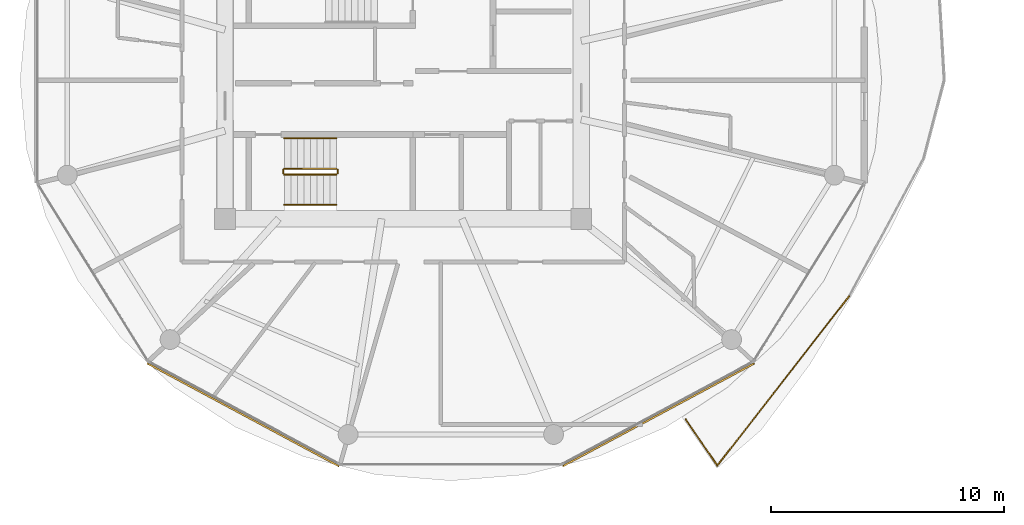
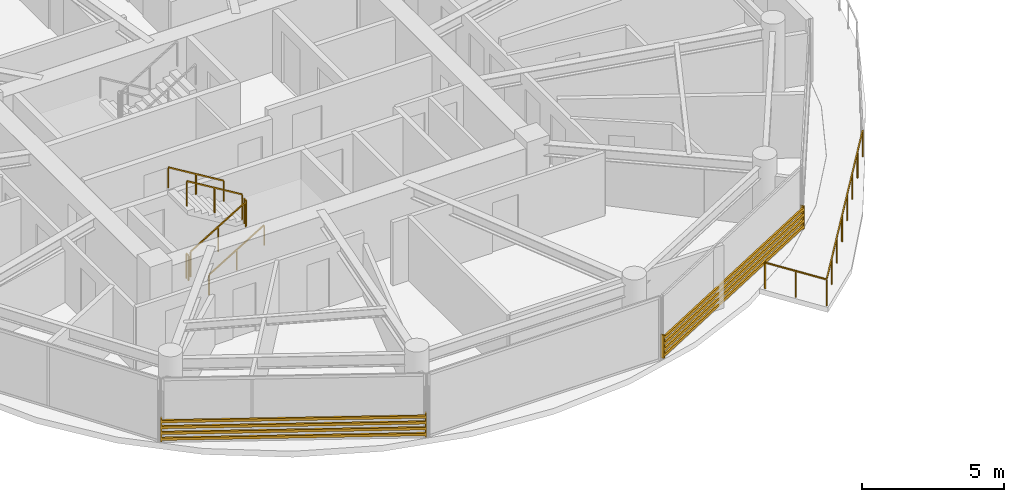
# One storey, part 19 of 22: 7 railings, 2 shading devices.
"""IFC4 building model written with IfcOpenShell, lengths in metres."""

from ifc_helpers import new_model, si_unit, direction, frame, origin, origin_2d, place, context, subcontext, project, spatial, rectangle, extrude, source, transform, mapped, material, type_object, type_shapes, element, save


model = new_model("IFC4")

# Units and contexts
model_context = context("Model", 3, precision=1e-05, world=origin(), true_north=direction((0.0, 1.0)))
body_context = subcontext(model_context, "Body", "Model", "MODEL_VIEW")
ifc_project = project(units=[si_unit("LENGTHUNIT", "METRE"), si_unit("AREAUNIT", "SQUARE_METRE"), si_unit("VOLUMEUNIT", "CUBIC_METRE"), si_unit("PLANEANGLEUNIT", "RADIAN"), si_unit("MASSUNIT", "GRAM", prefix="KILO")], contexts=[model_context])

# Site, building, storey
site_placement = place(None, origin())
site = spatial("IfcSite", under=ifc_project, at=site_placement, CompositionType="ELEMENT")
building_placement = place(site_placement, origin())
building = spatial("IfcBuilding", under=site, at=building_placement, Name="Norrkilde Senior Care Towers", CompositionType="ELEMENT")
storey_placement = place(building_placement, frame((0.0, 0.0, 126.75)))
storey = spatial("IfcBuildingStorey", under=building, at=storey_placement, Name="L39", CompositionType="ELEMENT", Elevation=126.75)

# Railings
ifc_material_1 = material(Name="Anodised Aluminium", Category="aluminium")
railing_type_1 = type_object("IfcRailingType", Name="Balcony Swirl Ribbon Guardrail 1150", PredefinedType="GUARDRAIL", material=ifc_material_1)
railing_1_placement = place(storey_placement, frame((-8.8466796875, -9.2734375, 0.0)))
element("IfcRailing", 1, at=railing_1_placement, inside=storey, type_object=railing_type_1, Name="L39 Perimeter Safety Guard 03", PredefinedType="GUARDRAIL", context=body_context, shape_type="SweptSolid", body=[
    extrude(rectangle(XDim=0.048095703125, YDim=0.048095703125, at=origin_2d()), frame((0.0, 0.0, 1.1259765625), z_axis=(-0.61408916915, -0.789236651666, 0.0), x_axis=(0.789236651666, -0.61408916915, 0.0)), (0.0, 0.0, 1.0), 9.17431640625),
    extrude(rectangle(XDim=0.048095703125, YDim=0.048095703125, at=origin_2d()), frame((-5.68212890625, -7.2392578125, 1.1259765625), z_axis=(-0.565561942327, 0.824705819909, 0.0), x_axis=(-0.824705819909, -0.565561942327, 0.0)), (0.0, 0.0, 1.0), 2.360595703125),
    extrude(rectangle(XDim=0.0419921875, YDim=0.0419921875, at=origin_2d()), origin(), (0.0, 0.0, 1.0), 1.099853515625),
    extrude(rectangle(XDim=0.0419921875, YDim=0.0419921875, at=origin_2d()), frame((-0.808349609375, -1.0390625, 0.0)), (0.0, 0.0, 1.0), 1.099853515625),
    extrude(rectangle(XDim=0.0419921875, YDim=0.0419921875, at=origin_2d()), frame((-1.616943359375, -2.077880859375, 0.0)), (0.0, 0.0, 1.0), 1.099853515625),
    extrude(rectangle(XDim=0.0419921875, YDim=0.0419921875, at=origin_2d()), frame((-2.42529296875, -3.116943359375, 0.0)), (0.0, 0.0, 1.0), 1.099853515625),
    extrude(rectangle(XDim=0.0419921875, YDim=0.0419921875, at=origin_2d()), frame((-3.233642578125, -4.156005859375, 0.0)), (0.0, 0.0, 1.0), 1.099853515625),
    extrude(rectangle(XDim=0.0419921875, YDim=0.0419921875, at=origin_2d()), frame((-4.0419921875, -5.195068359375, 0.0)), (0.0, 0.0, 1.0), 1.099853515625),
    extrude(rectangle(XDim=0.0419921875, YDim=0.0419921875, at=origin_2d()), frame((-4.8505859375, -6.23388671875, 0.0)), (0.0, 0.0, 1.0), 1.099853515625),
    extrude(rectangle(XDim=0.0419921875, YDim=0.0419921875, at=origin_2d()), frame((-5.658935546875, -7.27294921875, 0.0)), (0.0, 0.0, 1.0), 1.099853515625),
    extrude(rectangle(XDim=0.0419921875, YDim=0.0419921875, at=origin_2d()), frame((-6.337890625, -6.28271484375, 0.0)), (0.0, 0.0, 1.0), 1.099853515625),
    extrude(rectangle(XDim=0.0419921875, YDim=0.0419921875, at=origin_2d()), frame((-7.01708984375, -5.29248046875, 0.0)), (0.0, 0.0, 1.0), 1.099853515625),
])
ifc_material_2 = material(Name="Stainless Steel", Category="steel")
railing_type_2 = type_object("IfcRailingType", Name="Stair and Terrace Guardrail 1100", PredefinedType="GUARDRAIL", material=ifc_material_2)
railing_2_placement = place(storey_placement, frame((-33.10009765625, -4.050048828125, 0.16943359375)))
element("IfcRailing", 2, at=railing_2_placement, inside=storey, type_object=railing_type_2, Name="L39 ST-W2 stair guard 1", PredefinedType="GUARDRAIL", context=body_context, shape_type="SweptSolid", body=[
    extrude(rectangle(XDim=0.048095703125, YDim=0.048095703125, at=origin_2d()), frame((0.0, 0.0, 1.076171875), z_axis=(0.855553338991, 0.0, 0.51771467445), x_axis=(0.0, 1.0, 0.0)), (0.0, 0.0, 1.0), 2.6181640625),
    extrude(rectangle(XDim=0.0419921875, YDim=0.0419921875, at=origin_2d()), origin(), (0.0, 0.0, 1.0), 1.050048828125),
    extrude(rectangle(XDim=0.0419921875, YDim=0.0419921875, at=origin_2d()), frame((1.1201171875, 0.0, 0.677734375)), (0.0, 0.0, 1.0), 1.050048828125),
    extrude(rectangle(XDim=0.0419921875, YDim=0.0419921875, at=origin_2d()), frame((2.239990234375, 0.0, 1.35546875)), (0.0, 0.0, 1.0), 1.050048828125),
])
railing_3_placement = place(storey_placement, frame((-30.81005859375, -4.0, 1.52490234375)))
element("IfcRailing", 3, at=railing_3_placement, inside=storey, type_object=railing_type_2, Name="L39 ST-W2 stair guard 2", PredefinedType="GUARDRAIL", context=body_context, shape_type="SweptSolid", body=[
    extrude(rectangle(XDim=0.048095703125, YDim=0.048095703125, at=origin_2d()), frame((0.0, 0.0, 1.076171875), z_axis=(0.0, 1.0, 0.0), x_axis=(-1.0, 0.0, 0.0)), (0.0, 0.0, 1.0), 0.14990234375),
    extrude(rectangle(XDim=0.0419921875, YDim=0.0419921875, at=origin_2d()), origin(), (0.0, 0.0, 1.0), 1.050048828125),
    extrude(rectangle(XDim=0.0419921875, YDim=0.0419921875, at=origin_2d()), frame((0.0, 0.14990234375, 0.0)), (0.0, 0.0, 1.0), 1.050048828125),
])
railing_4_placement = place(storey_placement, frame((-30.860107421875, -3.800048828125, 1.6943359375)))
element("IfcRailing", 4, at=railing_4_placement, inside=storey, type_object=railing_type_2, Name="L39 ST-W2 stair guard 3", PredefinedType="GUARDRAIL", context=body_context, shape_type="SweptSolid", body=[
    extrude(rectangle(XDim=0.048095703125, YDim=0.048095703125, at=origin_2d()), frame((0.0, 0.0, 1.076171875), z_axis=(-0.855512035549, 0.0, 0.517782924622), x_axis=(0.0, -1.0, 0.0)), (0.0, 0.0, 1.0), 2.618408203125),
    extrude(rectangle(XDim=0.0419921875, YDim=0.0419921875, at=origin_2d()), origin(), (0.0, 0.0, 1.0), 1.050048828125),
    extrude(rectangle(XDim=0.0419921875, YDim=0.0419921875, at=origin_2d()), frame((-1.1201171875, 0.0, 0.677734375)), (0.0, 0.0, 1.0), 1.050048828125),
    extrude(rectangle(XDim=0.0419921875, YDim=0.0419921875, at=origin_2d()), frame((-2.239990234375, 0.0, 1.355712890625)), (0.0, 0.0, 1.0), 1.050048828125),
])
railing_5_placement = place(storey_placement, frame((-33.14990234375, -4.0, 0.0)))
element("IfcRailing", 5, at=railing_5_placement, inside=storey, type_object=railing_type_2, Name="L39 ST-W2 stair guard 4", PredefinedType="GUARDRAIL", context=body_context, shape_type="SweptSolid", body=[
    extrude(rectangle(XDim=0.048095703125, YDim=0.048095703125, at=origin_2d()), frame((0.0, 0.0, 1.076171875), z_axis=(0.0, 1.0, 0.0), x_axis=(-1.0, 0.0, 0.0)), (0.0, 0.0, 1.0), 0.14990234375),
    extrude(rectangle(XDim=0.0419921875, YDim=0.0419921875, at=origin_2d()), origin(), (0.0, 0.0, 1.0), 1.050048828125),
    extrude(rectangle(XDim=0.0419921875, YDim=0.0419921875, at=origin_2d()), frame((0.0, 0.14990234375, 0.0)), (0.0, 0.0, 1.0), 1.050048828125),
])
ifc_material_3 = material(Name="Nordic Ash Timber", Category="wood")
railing_type_3 = type_object("IfcRailingType", Name="Wall and Stair Handrail 900", PredefinedType="HANDRAIL", material=ifc_material_3)
railing_6_placement = place(storey_placement, frame((-33.10009765625, -5.35009765625, 0.16943359375)))
element("IfcRailing", 6, at=railing_6_placement, inside=storey, type_object=railing_type_3, Name="L39 ST-W2 stair handrail 1", PredefinedType="HANDRAIL", context=body_context, shape_type="SweptSolid", body=[
    extrude(rectangle(XDim=0.048095703125, YDim=0.048095703125, at=origin_2d()), frame((0.0, 0.0, 0.8759765625), z_axis=(0.855553338991, 0.0, 0.51771467445), x_axis=(0.0, 1.0, 0.0)), (0.0, 0.0, 1.0), 2.6181640625),
    extrude(rectangle(XDim=0.0419921875, YDim=0.0419921875, at=origin_2d()), origin(), (0.0, 0.0, 1.0), 0.849853515625),
    extrude(rectangle(XDim=0.0419921875, YDim=0.0419921875, at=origin_2d()), frame((1.1201171875, 0.0, 0.677734375)), (0.0, 0.0, 1.0), 0.849853515625),
    extrude(rectangle(XDim=0.0419921875, YDim=0.0419921875, at=origin_2d()), frame((2.239990234375, 0.0, 1.35546875)), (0.0, 0.0, 1.0), 0.849853515625),
])
railing_7_placement = place(storey_placement, frame((-30.860107421875, -2.5, 1.6943359375)))
element("IfcRailing", 7, at=railing_7_placement, inside=storey, type_object=railing_type_3, Name="L39 ST-W2 stair handrail 2", PredefinedType="HANDRAIL", context=body_context, shape_type="SweptSolid", body=[
    extrude(rectangle(XDim=0.048095703125, YDim=0.048095703125, at=origin_2d()), frame((0.0, 0.0, 0.8759765625), z_axis=(-0.855512035549, 0.0, 0.517782924622), x_axis=(0.0, -1.0, 0.0)), (0.0, 0.0, 1.0), 2.618408203125),
    extrude(rectangle(XDim=0.0419921875, YDim=0.0419921875, at=origin_2d()), origin(), (0.0, 0.0, 1.0), 0.849853515625),
    extrude(rectangle(XDim=0.0419921875, YDim=0.0419921875, at=origin_2d()), frame((-1.1201171875, 0.0, 0.677734375)), (0.0, 0.0, 1.0), 0.849853515625),
    extrude(rectangle(XDim=0.0419921875, YDim=0.0419921875, at=origin_2d()), frame((-2.239990234375, 0.0, 1.355712890625)), (0.0, 0.0, 1.0), 0.849853515625),
])

# Shading devices
ifc_material_4 = material(Name="Architectural Terracotta", Category="masonry")
shading_device_type = type_object("IfcShadingDeviceType", Name="Horizontal Terracotta Baguette Rack", PredefinedType="USERDEFINED", material=ifc_material_4)
shared_shape = source(origin(), body_context, "Body", "SweptSolid", [
    extrude(rectangle(XDim=0.070068359375, YDim=0.110107421875, at=origin_2d()), frame((0.0, 0.090087890625, 0.125), z_axis=(1.0, 0.0, 0.0), x_axis=(0.0, 1.0, 0.0)), (0.0, 0.0, 1.0), 9.3505859375),
    extrude(rectangle(XDim=0.070068359375, YDim=0.110107421875, at=origin_2d()), frame((0.0, 0.090087890625, 0.375), z_axis=(1.0, 0.0, 0.0), x_axis=(0.0, 1.0, 0.0)), (0.0, 0.0, 1.0), 9.3505859375),
    extrude(rectangle(XDim=0.070068359375, YDim=0.110107421875, at=origin_2d()), frame((0.0, 0.090087890625, 0.625), z_axis=(1.0, 0.0, 0.0), x_axis=(0.0, 1.0, 0.0)), (0.0, 0.0, 1.0), 9.3505859375),
    extrude(rectangle(XDim=0.070068359375, YDim=0.110107421875, at=origin_2d()), frame((0.0, 0.090087890625, 0.875), z_axis=(1.0, 0.0, 0.0), x_axis=(0.0, 1.0, 0.0)), (0.0, 0.0, 1.0), 9.3505859375),
    extrude(rectangle(XDim=0.050048828125, YDim=0.1552734375, at=origin_2d()), frame((0.02490234375, 0.047607421875, 0.0)), (0.0, 0.0, 1.0), 1.0),
    extrude(rectangle(XDim=0.050048828125, YDim=0.1552734375, at=origin_2d()), frame((9.32568359375, 0.047607421875, 0.0)), (0.0, 0.0, 1.0), 1.0),
])
type_shapes(shading_device_type, [shared_shape])
for number, where, z_axis, x_axis, name in (
    (8, (-30.70703125, -16.498046875, 0.080078125), (0.0, 0.0, 1.0), (-0.881174934726, 0.472767624021, 0.0), "L39 Drum W Terracotta Baguette Screen 07"),
    (9, (-12.953369140625, -12.077392578125, 0.080078125), (0.0, 0.0, 1.0), (-0.881174934726, -0.472767624021, 0.0), "L39 Drum W Terracotta Baguette Screen 09"),
):
    element("IfcShadingDevice", number, at=place(storey_placement, frame(where, z_axis=z_axis, x_axis=x_axis)), inside=storey, type_object=shading_device_type, Name=name, ObjectType="BAGUETTE", PredefinedType="USERDEFINED", context=body_context, shape_type="MappedRepresentation", body=[
        mapped(shared_shape, transform((0.0, 0.0, 0.0), x_axis=(1.0, 0.0, 0.0), y_axis=(0.0, 1.0, 0.0), z_axis=(0.0, 0.0, 1.0), scale=1.0)),
    ])

save(model, "model.ifc")
